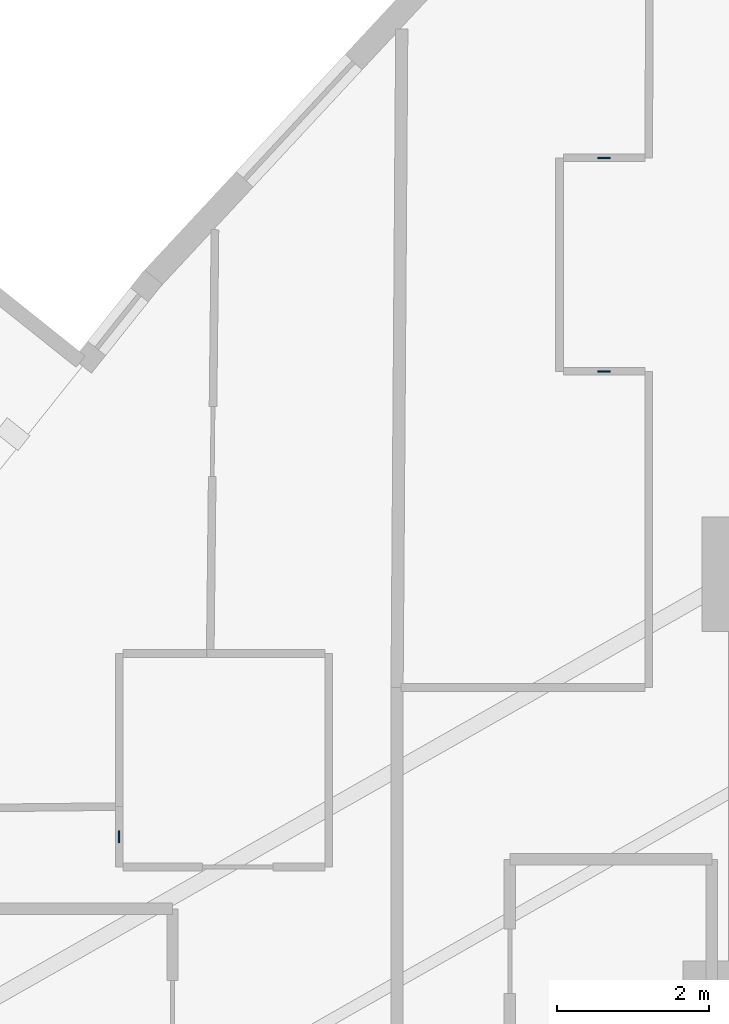
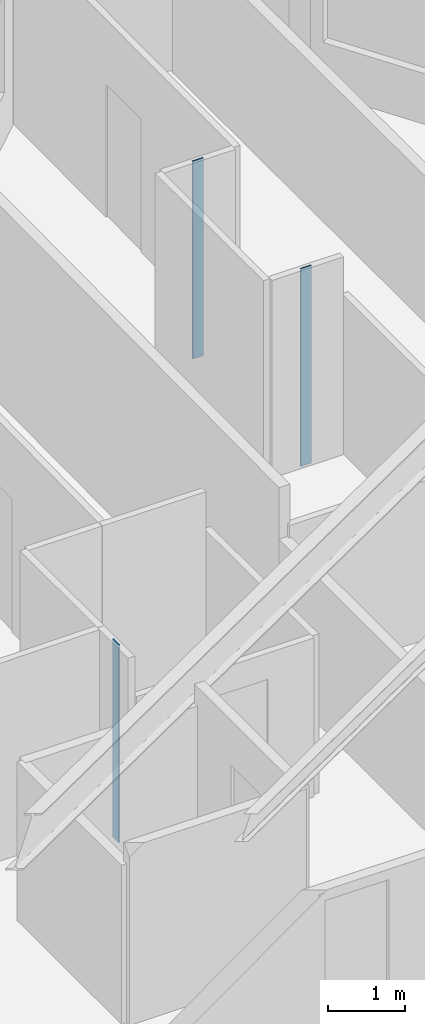
# One storey, part 7 of 16: 3 plates.
"""IFC4 building model written with IfcOpenShell, lengths in metres."""

from ifc_helpers import new_model, si_unit, direction, frame, origin, origin_2d, place, context, subcontext, project, spatial, rectangle, extrude, material, layer, layer_set, type_object, element, save


model = new_model("IFC4")

# Units and contexts
model_context = context("Model", 3, precision=1e-05, world=origin(), true_north=direction((0.0, 1.0)))
body_context = subcontext(model_context, "Body", "Model", "MODEL_VIEW")
ifc_project = project(units=[si_unit("LENGTHUNIT", "METRE"), si_unit("AREAUNIT", "SQUARE_METRE"), si_unit("VOLUMEUNIT", "CUBIC_METRE"), si_unit("PLANEANGLEUNIT", "RADIAN"), si_unit("MASSUNIT", "GRAM", prefix="KILO")], contexts=[model_context])

# Site, building, storey
site_placement = place(None, origin())
site = spatial("IfcSite", under=ifc_project, at=site_placement, CompositionType="ELEMENT")
building_placement = place(site_placement, origin())
building = spatial("IfcBuilding", under=site, at=building_placement, Name="Miruveldt Soraemaru", CompositionType="ELEMENT")
storey_placement = place(building_placement, frame((0.0, 0.0, 42.800048828125)))
storey = spatial("IfcBuildingStorey", under=building, at=storey_placement, Name="L11", CompositionType="ELEMENT", Elevation=42.800048828125)

# Plates
ifc_material = material(Name="Anodised aluminium EN AW-6063 T6", Category="aluminium")
ifc_layer = layer(ifc_material, 0.02001953125, Name="Anodised aluminium EN AW-6063 T6", Category="aluminium")
ifc_layer_set = layer_set([ifc_layer], Name="Anodised aluminium EN AW-6063 T6")
plate_type = type_object("IfcPlateType", Name="PLT-PART-TRIM", PredefinedType="SHEET", material=ifc_layer_set)
for number, where, z_axis, x_axis, name in (
    (1, (42.215087890625, 68.6298828125, 0.0), (0.0, 0.0, 1.0), (-1.0, 0.0, 0.0), "L11 Partition Step Corner Trim Plate 034"),
    (2, (42.215087890625, 65.830078125, 0.0), (0.0, 0.0, 1.0), (1.0, 0.0, 0.0), "L11 Partition Step Corner Trim Plate 036"),
    (3, (35.85498046875, 59.7265625, 0.0), (0.0, 0.0, 1.0), (0.0, -1.0, 0.0), "L11 Partition Step Corner Trim Plate 019"),
):
    element("IfcPlate", number, at=place(storey_placement, frame(where, z_axis=z_axis, x_axis=x_axis)), inside=storey, type_object=plate_type, Name=name, PredefinedType="SHEET", context=body_context, shape_type="SweptSolid", body=[
        extrude(rectangle(XDim=0.159912109375, YDim=0.02001953125, at=origin_2d()), origin(), (0.0, 0.0, 1.0), 3.125),
    ])

save(model, "model.ifc")
